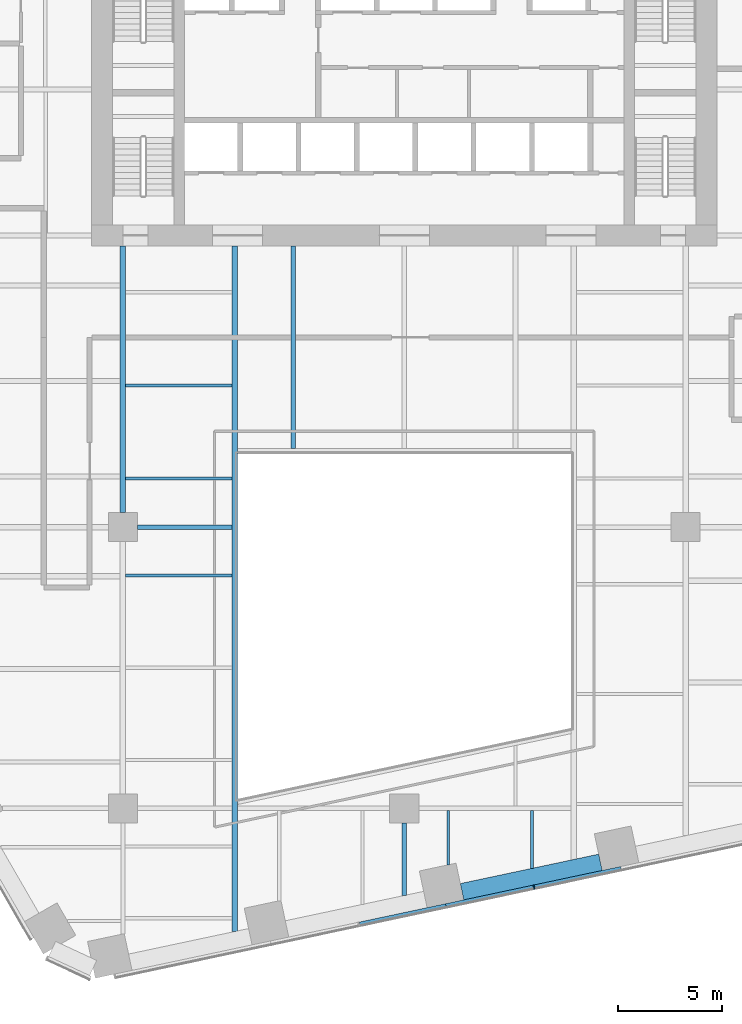
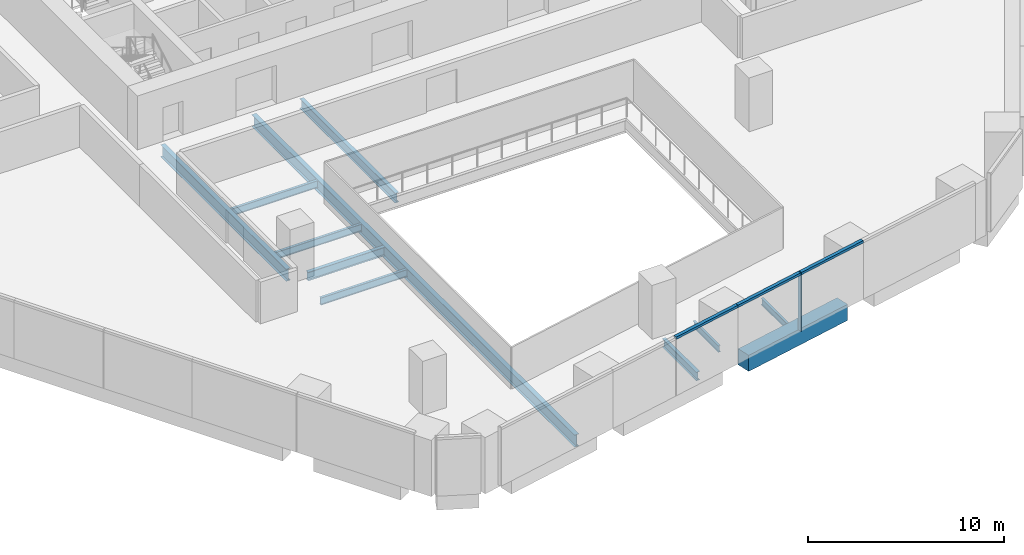
# One storey, part 4 of 20: 11 beams, 4 members, 1 element without a shape of its own.
"""IFC4 building model written with IfcOpenShell, lengths in metres."""

from ifc_helpers import new_model, si_unit, direction, frame, origin, origin_2d, place, context, subcontext, project, spatial, rectangle, i_section, extrude, material, layer, layer_set, material_profile, profile_set, type_object, element, aggregate, save


model = new_model("IFC4")

# Units and contexts
model_context = context("Model", 3, precision=1e-05, world=origin(), true_north=direction((0.0, 1.0)))
body_context = subcontext(model_context, "Body", "Model", "MODEL_VIEW")
ifc_project = project(units=[si_unit("LENGTHUNIT", "METRE"), si_unit("AREAUNIT", "SQUARE_METRE"), si_unit("VOLUMEUNIT", "CUBIC_METRE"), si_unit("PLANEANGLEUNIT", "RADIAN"), si_unit("MASSUNIT", "GRAM", prefix="KILO")], contexts=[model_context])

# Site, building, storey
site_placement = place(None, origin())
site = spatial("IfcSite", under=ifc_project, at=site_placement, CompositionType="ELEMENT")
building_placement = place(site_placement, origin())
building = spatial("IfcBuilding", under=site, at=building_placement, Name="Isthmus Gate Tower", CompositionType="ELEMENT")
storey_placement = place(building_placement, frame((0.0, 0.0, 72.5)))
storey = spatial("IfcBuildingStorey", under=building, at=storey_placement, Name="L16", CompositionType="ELEMENT", Elevation=72.5)

# Curtain wall, members
ifc_material_1 = material(Name="Aluminium, pale champagne anodised", Category="aluminium")
ifc_layer = layer(ifc_material_1, 0.199951171875)
ifc_layer_set = layer_set([ifc_layer], Name="CW-1 UNITISED CURTAIN WALL 200 DEEP")
curtain_wall_type = type_object("IfcCurtainWallType", Name="CW-1 UNITISED CURTAIN WALL 200 DEEP", PredefinedType="NOTDEFINED", material=ifc_layer_set)
curtain_wall_placement = place(storey_placement, origin())
curtain_wall = element("IfcCurtainWall", 1, at=curtain_wall_placement, inside=storey, type_object=curtain_wall_type, Name="CW-1 S L16", PredefinedType="NOTDEFINED")
ifc_material_2 = material(Name="Aluminium, pale champagne anodised", Category="aluminium")
ifc_material_profile_1 = material_profile(ifc_material_2, rectangle(XDim=0.06005859375, YDim=0.199951171875, at=origin_2d()), Name="60x200")
ifc_profile_set_1 = profile_set([ifc_material_profile_1], Name="Aluminium, pale champagne anodised")
member_type_1 = type_object("IfcMemberType", Name="CW-1 MULLION 60 X 200", PredefinedType="MULLION", material=ifc_profile_set_1)
member_1_placement = place(storey_placement, frame((6.228759765625, -30.7783203125, 0.0), z_axis=(0.0, 0.0, 1.0), x_axis=(0.978147600734, 0.207911690818, 0.0)))
member_1 = element("IfcMember", 2, at=member_1_placement, type_object=member_type_1, Name="CW-1 mullion", PredefinedType="MULLION", context=body_context, shape_type="SweptSolid", body=[
    extrude(rectangle(XDim=0.06005859375, YDim=0.199951171875, at=origin_2d()), origin(), (0.0, 0.0, 1.0), 3.64990234375),
])
ifc_material_3 = material(Name="Aluminium, pale champagne anodised", Category="aluminium")
ifc_material_profile_2 = material_profile(ifc_material_3, rectangle(XDim=0.199951171875, YDim=0.14990234375, at=origin_2d()), Name="200x150")
ifc_profile_set_2 = profile_set([ifc_material_profile_2], Name="Aluminium, pale champagne anodised")
member_type_2 = type_object("IfcMemberType", Name="CW-1 TRANSOM 200 X 150", PredefinedType="USERDEFINED", material=ifc_profile_set_2)
member_2_placement = place(storey_placement, frame((-2.1435546875, -32.557861328125, 3.574951171875), z_axis=(0.978150351608, 0.20789874855, 0.0), x_axis=(-0.20789874855, 0.978150351608, 0.0)))
member_2 = element("IfcMember", 3, at=member_2_placement, type_object=member_type_2, Name="CW-1 transom", ObjectType="TRANSOM", PredefinedType="USERDEFINED", context=body_context, shape_type="SweptSolid", body=[
    extrude(rectangle(XDim=0.199951171875, YDim=0.14990234375, at=origin_2d()), origin(), (0.0, 0.0, 1.0), 4.234619140625),
])
member_3_placement = place(storey_placement, frame((1.99853515625, -31.677490234375, 3.574951171875), z_axis=(0.97813890815, 0.207952582007, 0.0), x_axis=(-0.207952582007, 0.97813890815, 0.0)))
member_3 = element("IfcMember", 4, at=member_3_placement, type_object=member_type_2, Name="CW-1 transom", ObjectType="TRANSOM", PredefinedType="USERDEFINED", context=body_context, shape_type="SweptSolid", body=[
    extrude(rectangle(XDim=0.199951171875, YDim=0.14990234375, at=origin_2d()), origin(), (0.0, 0.0, 1.0), 4.294677734375),
])
member_4_placement = place(storey_placement, frame((6.258056640625, -30.77197265625, 3.574951171875), z_axis=(0.978150351608, 0.20789874855, 0.0), x_axis=(-0.20789874855, 0.978150351608, 0.0)))
member_4 = element("IfcMember", 5, at=member_4_placement, type_object=member_type_2, Name="CW-1 transom", ObjectType="TRANSOM", PredefinedType="USERDEFINED", context=body_context, shape_type="SweptSolid", body=[
    extrude(rectangle(XDim=0.199951171875, YDim=0.14990234375, at=origin_2d()), origin(), (0.0, 0.0, 1.0), 4.234619140625),
])
aggregate(curtain_wall, [member_2, member_3, member_1, member_4])

# Beams
ifc_material_4 = material(Name="Concrete f'c 70 MPa", Category="concrete")
ifc_material_profile_3 = material_profile(ifc_material_4, rectangle(XDim=0.800048828125, YDim=1.0, at=origin_2d()), Name="RC 800X1000")
ifc_profile_set_3 = profile_set([ifc_material_profile_3], Name="Concrete f'c 70 MPa")
beam_type_1 = type_object("IfcBeamType", Name="RC SPANDREL 800 X 1000", PredefinedType="SPANDREL", material=ifc_profile_set_3)
beam_1_placement = place(storey_placement, frame((9.415771484375, -29.589599609375, -0.5), z_axis=(-0.978145779981, -0.207920256603, 0.0), x_axis=(0.207920256603, -0.978145779981, 0.0)))
element("IfcBeam", 6, at=beam_1_placement, inside=storey, type_object=beam_type_1, Name="str-spandrel-L16-11", PredefinedType="SPANDREL", context=body_context, shape_type="SweptSolid", body=[
    extrude(rectangle(XDim=0.800048828125, YDim=1.0, at=origin_2d()), origin(), (0.0, 0.0, 1.0), 6.789306640625),
])
ifc_material_5 = material(Name="Structural steel ASTM A992 Gr 50", Category="steel")
ifc_material_profile_4 = material_profile(ifc_material_5, i_section(OverallWidth=0.1396484375, OverallDepth=0.4033203125, WebThickness=0.00634765625, FlangeThickness=0.010986328125, at=origin_2d()), Name="W16X31")
ifc_profile_set_4 = profile_set([ifc_material_profile_4], Name="Structural steel ASTM A992 Gr 50")
beam_type_2 = type_object("IfcBeamType", Name="STEEL FLOOR BEAM W16X31", PredefinedType="JOIST", material=ifc_profile_set_4)
beam_2_placement = place(storey_placement, frame((2.111572265625, -29.7109375, -0.3515625), z_axis=(0.0, 1.0, 0.0), x_axis=(-1.0, 0.0, 0.0)))
element("IfcBeam", 7, at=beam_2_placement, inside=storey, type_object=beam_type_2, Name="str-beam-L16-18-00", PredefinedType="JOIST", context=body_context, shape_type="SweptSolid", body=[
    extrude(i_section(OverallWidth=0.1396484375, OverallDepth=0.4033203125, WebThickness=0.00634765625, FlangeThickness=0.010986328125, at=origin_2d()), origin(), (0.0, 0.0, 1.0), 2.5966796875),
])
beam_3_placement = place(storey_placement, frame((6.125, -29.880126953125, -0.3515625), z_axis=(0.0, 1.0, 0.0), x_axis=(-1.0, 0.0, 0.0)))
element("IfcBeam", 8, at=beam_3_placement, inside=storey, type_object=beam_type_2, Name="str-beam-L16-18-01", PredefinedType="JOIST", context=body_context, shape_type="SweptSolid", body=[
    extrude(i_section(OverallWidth=0.1396484375, OverallDepth=0.4033203125, WebThickness=0.00634765625, FlangeThickness=0.010986328125, at=origin_2d()), origin(), (0.0, 0.0, 1.0), 2.765869140625),
])
ifc_material_6 = material(Name="Structural steel ASTM A992 Gr 50", Category="steel")
ifc_material_profile_5 = material_profile(ifc_material_6, i_section(OverallWidth=0.15234375, OverallDepth=0.45068359375, WebThickness=0.0078125, FlangeThickness=0.010986328125, at=origin_2d()), Name="W18X35")
ifc_profile_set_5 = profile_set([ifc_material_profile_5], Name="Structural steel ASTM A992 Gr 50")
beam_type_3 = type_object("IfcBeamType", Name="STEEL FLOOR BEAM W18X35", PredefinedType="JOIST", material=ifc_profile_set_5)
for number, where, z_axis, x_axis, name in (
    (9, (-13.3681640625, -11.16259765625, -0.37548828125), (1.0, 0.0, 0.0), (0.0, 1.0, 0.0), "str-beam-L16-11-00"),
    (10, (-13.3681640625, -6.697509765625, -0.37548828125), (1.0, 0.0, 0.0), (0.0, 1.0, 0.0), "str-beam-L16-11-01"),
    (11, (-13.3681640625, -15.81982421875, -0.37548828125), (1.0, 0.0, 0.0), (0.0, 1.0, 0.0), "str-beam-L16-12-02"),
):
    element("IfcBeam", number, at=place(storey_placement, frame(where, z_axis=z_axis, x_axis=x_axis)), inside=storey, type_object=beam_type_3, Name=name, PredefinedType="JOIST", context=body_context, shape_type="SweptSolid", body=[
        extrude(i_section(OverallWidth=0.15234375, OverallDepth=0.45068359375, WebThickness=0.0078125, FlangeThickness=0.010986328125, at=origin_2d()), origin(), (0.0, 0.0, 1.0), 5.1015625),
    ])
ifc_material_7 = material(Name="Structural steel ASTM A992 Gr 50", Category="steel")
ifc_material_profile_6 = material_profile(ifc_material_7, i_section(OverallWidth=0.228515625, OverallDepth=0.603271484375, WebThickness=0.010986328125, FlangeThickness=0.014404296875, at=origin_2d()), Name="W24X68")
ifc_profile_set_6 = profile_set([ifc_material_profile_6], Name="Structural steel ASTM A992 Gr 50")
beam_type_4 = type_object("IfcBeamType", Name="STEEL FLOOR BEAM W24X68", PredefinedType="JOIST", material=ifc_profile_set_6)
beam_4_placement = place(storey_placement, frame((-5.333251953125, -9.7333984375, -0.45166015625), z_axis=(0.0, 1.0, 0.0), x_axis=(-1.0, 0.0, 0.0)))
element("IfcBeam", 12, at=beam_4_placement, inside=storey, type_object=beam_type_4, Name="str-beam-L16-16-00", PredefinedType="JOIST", context=body_context, shape_type="SweptSolid", body=[
    extrude(i_section(OverallWidth=0.228515625, OverallDepth=0.603271484375, WebThickness=0.010986328125, FlangeThickness=0.014404296875, at=origin_2d()), origin(), (0.0, 0.0, 1.0), 9.7333984375),
])
ifc_material_8 = material(Name="Structural steel ASTM A992 Gr 50", Category="steel")
ifc_material_profile_7 = material_profile(ifc_material_8, i_section(OverallWidth=0.20947265625, OverallDepth=0.533447265625, WebThickness=0.009521484375, FlangeThickness=0.015869140625, at=origin_2d()), Name="W21X62")
ifc_profile_set_7 = profile_set([ifc_material_profile_7], Name="Structural steel ASTM A992 Gr 50")
beam_type_5 = type_object("IfcBeamType", Name="STEEL GIRDER W21X62", PredefinedType="BEAM", material=ifc_profile_set_7)
beam_5_placement = place(storey_placement, frame((-12.800048828125, -13.5, -0.416748046875), z_axis=(1.0, 0.0, 0.0), x_axis=(0.0, 1.0, 0.0)))
element("IfcBeam", 13, at=beam_5_placement, inside=storey, type_object=beam_type_5, Name="str-girder-L16-06", PredefinedType="BEAM", context=body_context, shape_type="SweptSolid", body=[
    extrude(i_section(OverallWidth=0.20947265625, OverallDepth=0.533447265625, WebThickness=0.009521484375, FlangeThickness=0.015869140625, at=origin_2d()), origin(), (0.0, 0.0, 1.0), 4.533447265625),
])
beam_6_placement = place(storey_placement, frame((0.0, -31.18212890625, -0.416748046875), z_axis=(0.0, 1.0, 0.0), x_axis=(-1.0, 0.0, 0.0)))
element("IfcBeam", 14, at=beam_6_placement, inside=storey, type_object=beam_type_5, Name="str-girder-L16-28", PredefinedType="BEAM", context=body_context, shape_type="SweptSolid", body=[
    extrude(i_section(OverallWidth=0.20947265625, OverallDepth=0.533447265625, WebThickness=0.009521484375, FlangeThickness=0.015869140625, at=origin_2d()), origin(), (0.0, 0.0, 1.0), 3.482177734375),
])
ifc_material_9 = material(Name="Structural steel ASTM A992 Gr 50", Category="steel")
ifc_material_profile_8 = material_profile(ifc_material_9, i_section(OverallWidth=0.263427734375, OverallDepth=0.749267578125, WebThickness=0.0126953125, FlangeThickness=0.015869140625, at=origin_2d()), Name="W30X90")
ifc_profile_set_8 = profile_set([ifc_material_profile_8], Name="Structural steel ASTM A992 Gr 50")
beam_type_6 = type_object("IfcBeamType", Name="STEEL GIRDER W30X90", PredefinedType="BEAM", material=ifc_profile_set_8)
beam_7_placement = place(storey_placement, frame((-13.5, -12.800048828125, -0.524658203125), z_axis=(0.0, 1.0, 0.0), x_axis=(-1.0, 0.0, 0.0)))
element("IfcBeam", 15, at=beam_7_placement, inside=storey, type_object=beam_type_6, Name="str-girder-L16-25", PredefinedType="BEAM", context=body_context, shape_type="SweptSolid", body=[
    extrude(i_section(OverallWidth=0.263427734375, OverallDepth=0.749267578125, WebThickness=0.0126953125, FlangeThickness=0.015869140625, at=origin_2d()), origin(), (0.0, 0.0, 1.0), 12.800048828125),
])
ifc_material_10 = material(Name="Structural steel ASTM A992 Gr 50", Category="steel")
ifc_material_profile_9 = material_profile(ifc_material_10, i_section(OverallWidth=0.2666015625, OverallDepth=0.7587890625, WebThickness=0.014404296875, FlangeThickness=0.01904296875, at=origin_2d()), Name="W30X108")
ifc_profile_set_9 = profile_set([ifc_material_profile_9], Name="Structural steel ASTM A992 Gr 50")
beam_type_7 = type_object("IfcBeamType", Name="STEEL TRIMMER W30X108", PredefinedType="BEAM", material=ifc_profile_set_9)
beam_8_placement = place(storey_placement, frame((-8.13330078125, 0.0, -0.529296875), z_axis=(0.0, -1.0, 0.0), x_axis=(1.0, 0.0, 0.0)))
element("IfcBeam", 16, at=beam_8_placement, inside=storey, type_object=beam_type_7, Name="str-trimmer-L16-02", PredefinedType="BEAM", context=body_context, shape_type="SweptSolid", body=[
    extrude(i_section(OverallWidth=0.2666015625, OverallDepth=0.7587890625, WebThickness=0.014404296875, FlangeThickness=0.01904296875, at=origin_2d()), origin(), (0.0, 0.0, 1.0), 32.910888671875),
])

save(model, "model.ifc")
